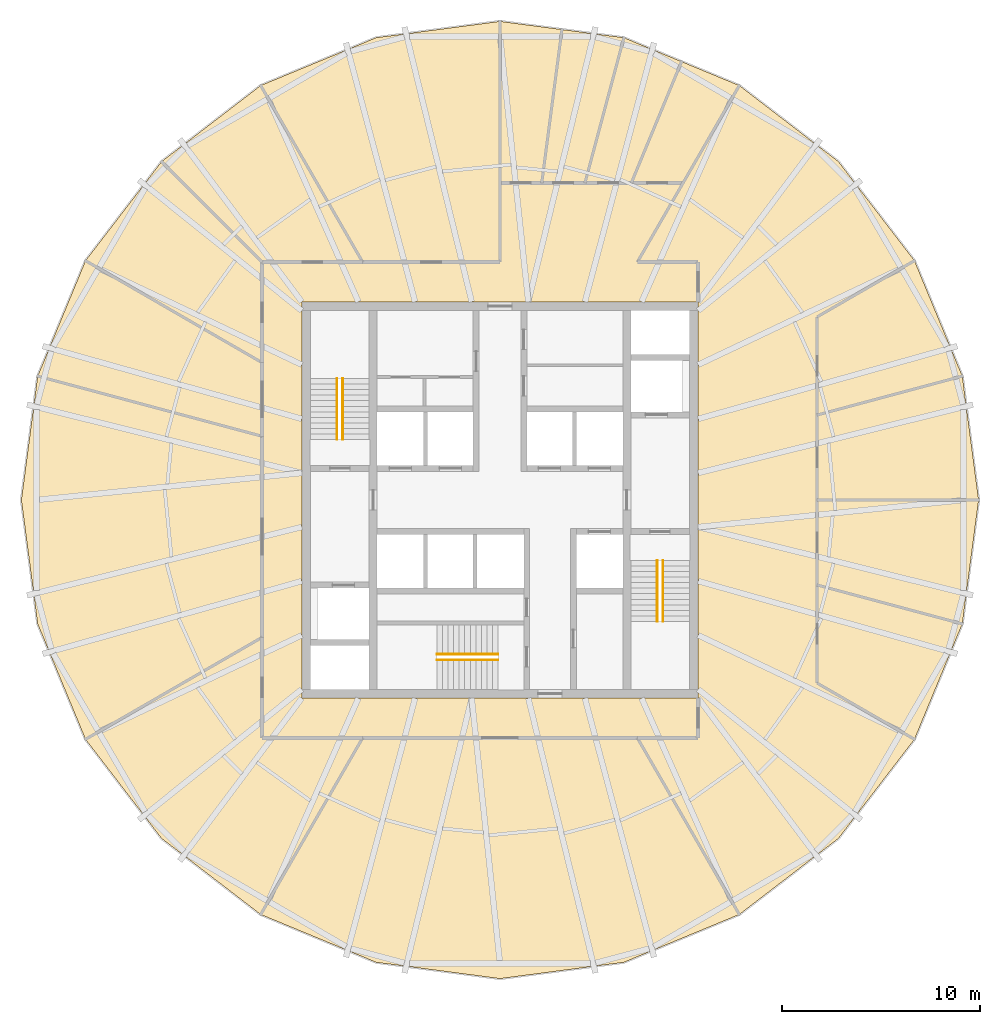
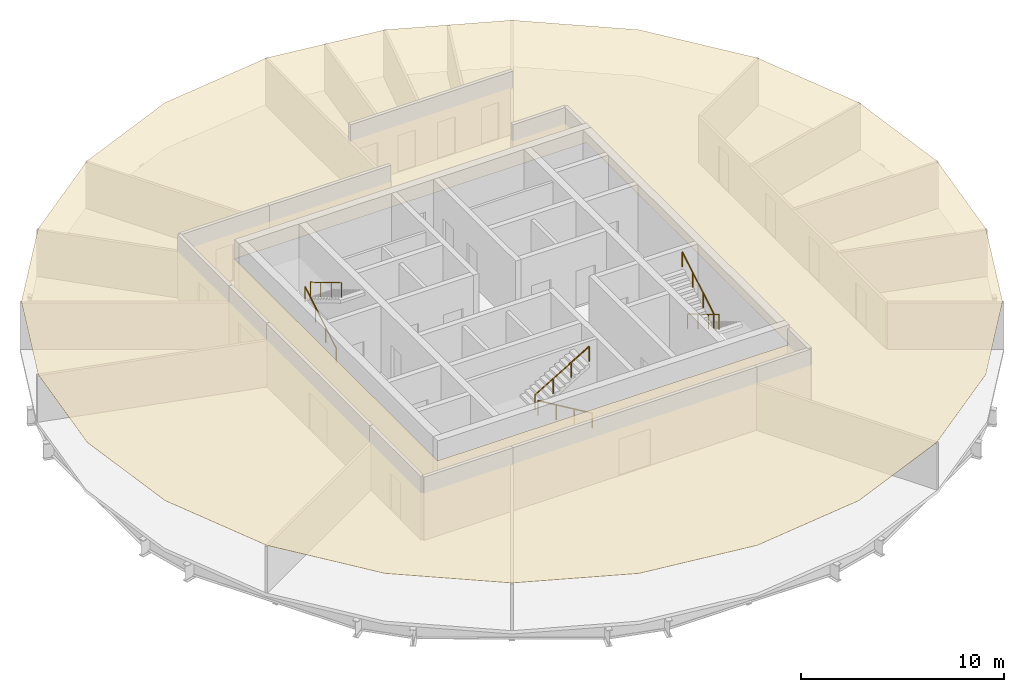
# One storey, part 6 of 6: 6 railings, 1 covering.
"""IFC4 building model written with IfcOpenShell, lengths in metres."""

from ifc_helpers import new_model, si_unit, direction, frame, origin, origin_2d, place, context, subcontext, project, spatial, polyline, circle, outline, extrude, material, layer, layer_set, type_object, element, save


model = new_model("IFC4")

# Units and contexts
model_context = context("Model", 3, precision=1e-05, world=origin(), true_north=direction((0.0, 1.0)))
body_context = subcontext(model_context, "Body", "Model", "MODEL_VIEW")
ifc_project = project(units=[si_unit("LENGTHUNIT", "METRE"), si_unit("AREAUNIT", "SQUARE_METRE"), si_unit("VOLUMEUNIT", "CUBIC_METRE"), si_unit("PLANEANGLEUNIT", "RADIAN"), si_unit("MASSUNIT", "GRAM", prefix="KILO")], contexts=[model_context])

# Site, building, storey
site_placement = place(None, origin())
site = spatial("IfcSite", under=ifc_project, at=site_placement, CompositionType="ELEMENT")
building_placement = place(site_placement, origin())
building = spatial("IfcBuilding", under=site, at=building_placement, Name="Golbaran Civic Tower", CompositionType="ELEMENT")
storey_placement = place(building_placement, frame((0.0, 0.0, 163.0)))
storey = spatial("IfcBuildingStorey", under=building, at=storey_placement, Name="L39", CompositionType="ELEMENT", Elevation=163.0)

# Railings
ifc_material_1 = material(Name="Stainless steel", Category="steel")
railing_type = type_object("IfcRailingType", Name="STAIR HANDRAIL 900", PredefinedType="HANDRAIL", material=ifc_material_1)
railing_1_placement = place(storey_placement, frame((-8.22509765625, 3.050048828125, 0.166748046875)))
element("IfcRailing", 1, at=railing_1_placement, inside=storey, type_object=railing_type, Name="Stair S1 handrail flight 1 L39", PredefinedType="HANDRAIL", context=body_context, shape_type="SweptSolid", body=[
    extrude(circle(Radius=0.02392578125, at=origin_2d()), frame((0.0, 0.0, 0.8759765625), z_axis=(0.0, 0.859290745958, 0.51148745235), x_axis=(-1.0, 0.0, 0.0)), (0.0, 0.0, 1.0), 3.584228515625),
    extrude(circle(Radius=0.02099609375, at=origin_2d()), origin(), (0.0, 0.0, 1.0), 0.851806640625),
    extrude(circle(Radius=0.02099609375, at=origin_2d()), frame((0.0, 1.026611328125, 0.611083984375)), (0.0, 0.0, 1.0), 0.851806640625),
    extrude(circle(Radius=0.02099609375, at=origin_2d()), frame((0.0, 2.05322265625, 1.22216796875)), (0.0, 0.0, 1.0), 0.851806640625),
    extrude(circle(Radius=0.02099609375, at=origin_2d()), frame((0.0, 3.079833984375, 1.833251953125)), (0.0, 0.0, 1.0), 0.851806640625),
])
for number, where, name in (
    (2, (-7.925048828125, 6.1298828125, 2.166748046875), "Stair S1 handrail flight 2 L39"),
    (3, (8.22509765625, -3.050048828125, 0.166748046875), "Stair S2 handrail flight 1 L39"),
):
    element("IfcRailing", number, at=place(storey_placement, frame(where)), inside=storey, type_object=railing_type, Name=name, PredefinedType="HANDRAIL", context=body_context, shape_type="SweptSolid", body=[
        extrude(circle(Radius=0.02392578125, at=origin_2d()), frame((0.0, 0.0, 0.8759765625), z_axis=(0.0, -0.859290745958, 0.51148745235), x_axis=(1.0, 0.0, 0.0)), (0.0, 0.0, 1.0), 3.584228515625),
        extrude(circle(Radius=0.02099609375, at=origin_2d()), origin(), (0.0, 0.0, 1.0), 0.851806640625),
        extrude(circle(Radius=0.02099609375, at=origin_2d()), frame((0.0, -1.026611328125, 0.611083984375)), (0.0, 0.0, 1.0), 0.851806640625),
        extrude(circle(Radius=0.02099609375, at=origin_2d()), frame((0.0, -2.05322265625, 1.22216796875)), (0.0, 0.0, 1.0), 0.851806640625),
        extrude(circle(Radius=0.02099609375, at=origin_2d()), frame((0.0, -3.079833984375, 1.833251953125)), (0.0, 0.0, 1.0), 0.851806640625),
    ])
railing_2_placement = place(storey_placement, frame((7.925048828125, -6.1298828125, 2.166748046875)))
element("IfcRailing", 4, at=railing_2_placement, inside=storey, type_object=railing_type, Name="Stair S2 handrail flight 2 L39", PredefinedType="HANDRAIL", context=body_context, shape_type="SweptSolid", body=[
    extrude(circle(Radius=0.02392578125, at=origin_2d()), frame((0.0, 0.0, 0.8759765625), z_axis=(0.0, 0.859290745958, 0.51148745235), x_axis=(-1.0, 0.0, 0.0)), (0.0, 0.0, 1.0), 3.584228515625),
    extrude(circle(Radius=0.02099609375, at=origin_2d()), origin(), (0.0, 0.0, 1.0), 0.851806640625),
    extrude(circle(Radius=0.02099609375, at=origin_2d()), frame((0.0, 1.026611328125, 0.611083984375)), (0.0, 0.0, 1.0), 0.851806640625),
    extrude(circle(Radius=0.02099609375, at=origin_2d()), frame((0.0, 2.05322265625, 1.22216796875)), (0.0, 0.0, 1.0), 0.851806640625),
    extrude(circle(Radius=0.02099609375, at=origin_2d()), frame((0.0, 3.079833984375, 1.833251953125)), (0.0, 0.0, 1.0), 0.851806640625),
])
railing_3_placement = place(storey_placement, frame((-0.10009765625, -8.074951171875, 0.166748046875)))
element("IfcRailing", 5, at=railing_3_placement, inside=storey, type_object=railing_type, Name="Stair S3 handrail flight 1 L39", PredefinedType="HANDRAIL", context=body_context, shape_type="SweptSolid", body=[
    extrude(circle(Radius=0.02392578125, at=origin_2d()), frame((0.0, 0.0, 0.8759765625), z_axis=(-0.859290745958, 0.0, 0.51148745235), x_axis=(0.0, -1.0, 0.0)), (0.0, 0.0, 1.0), 3.584228515625),
    extrude(circle(Radius=0.02099609375, at=origin_2d()), origin(), (0.0, 0.0, 1.0), 0.851806640625),
    extrude(circle(Radius=0.02099609375, at=origin_2d()), frame((-1.026611328125, 0.0, 0.611083984375)), (0.0, 0.0, 1.0), 0.851806640625),
    extrude(circle(Radius=0.02099609375, at=origin_2d()), frame((-2.05322265625, 0.0, 1.22216796875)), (0.0, 0.0, 1.0), 0.851806640625),
    extrude(circle(Radius=0.02099609375, at=origin_2d()), frame((-3.079833984375, 0.0, 1.833251953125)), (0.0, 0.0, 1.0), 0.851806640625),
])
railing_4_placement = place(storey_placement, frame((-3.179931640625, -7.77490234375, 2.166748046875)))
element("IfcRailing", 6, at=railing_4_placement, inside=storey, type_object=railing_type, Name="Stair S3 handrail flight 2 L39", PredefinedType="HANDRAIL", context=body_context, shape_type="SweptSolid", body=[
    extrude(circle(Radius=0.02392578125, at=origin_2d()), frame((0.0, 0.0, 0.8759765625), z_axis=(0.859290745958, 0.0, 0.51148745235), x_axis=(0.0, 1.0, 0.0)), (0.0, 0.0, 1.0), 3.584228515625),
    extrude(circle(Radius=0.02099609375, at=origin_2d()), origin(), (0.0, 0.0, 1.0), 0.851806640625),
    extrude(circle(Radius=0.02099609375, at=origin_2d()), frame((1.026611328125, 0.0, 0.611083984375)), (0.0, 0.0, 1.0), 0.851806640625),
    extrude(circle(Radius=0.02099609375, at=origin_2d()), frame((2.05322265625, 0.0, 1.22216796875)), (0.0, 0.0, 1.0), 0.851806640625),
    extrude(circle(Radius=0.02099609375, at=origin_2d()), frame((3.079833984375, 0.0, 1.833251953125)), (0.0, 0.0, 1.0), 0.851806640625),
])

# Covering
ifc_material_2 = material(Name="Mineral fibre tile on steel grid", Category="steel")
ifc_layer = layer(ifc_material_2, 0.02001953125, Name="Mineral fibre tile on steel grid")
ifc_layer_set = layer_set([ifc_layer], Name="Mineral fibre tile on steel grid")
covering_type = type_object("IfcCoveringType", Name="SUSPENDED CEILING 600 TILE 20", PredefinedType="CEILING", material=ifc_layer_set)
covering_placement = place(storey_placement, frame((0.0, 0.0, 2.800048828125)))
element("IfcCovering", 7, at=covering_placement, inside=storey, type_object=covering_type, Name="Suspended ceiling L39", PredefinedType="CEILING", context=body_context, shape_type="SweptSolid", body=[
    extrude(outline(polyline([(-12.075927734375, 20.916259765625), (-6.2509765625, 23.3291015625), (0.0, 24.152099609375), (6.2509765625, 23.3291015625), (12.075927734375, 20.916259765625), (17.078125, 17.078125), (20.916259765625, 12.075927734375), (23.3291015625, 6.2509765625), (24.152099609375, 0.0), (23.3291015625, -6.2509765625), (20.916259765625, -12.075927734375), (17.078125, -17.078125), (12.075927734375, -20.916259765625), (6.2509765625, -23.3291015625), (0.0, -24.152099609375), (-6.2509765625, -23.3291015625), (-12.075927734375, -20.916259765625), (-17.078125, -17.078125), (-20.916259765625, -12.075927734375), (-23.3291015625, -6.2509765625), (-24.152099609375, 0.0), (-23.3291015625, 6.2509765625), (-20.916259765625, 12.075927734375), (-17.078125, 17.078125), (-12.075927734375, 20.916259765625)]), holes=[polyline([(10.0, 10.0), (-10.0, 10.0), (-10.0, -10.0), (10.0, -10.0), (10.0, 10.0)])]), origin(), (0.0, 0.0, 1.0), 0.02001953125),
])

save(model, "model.ifc")
